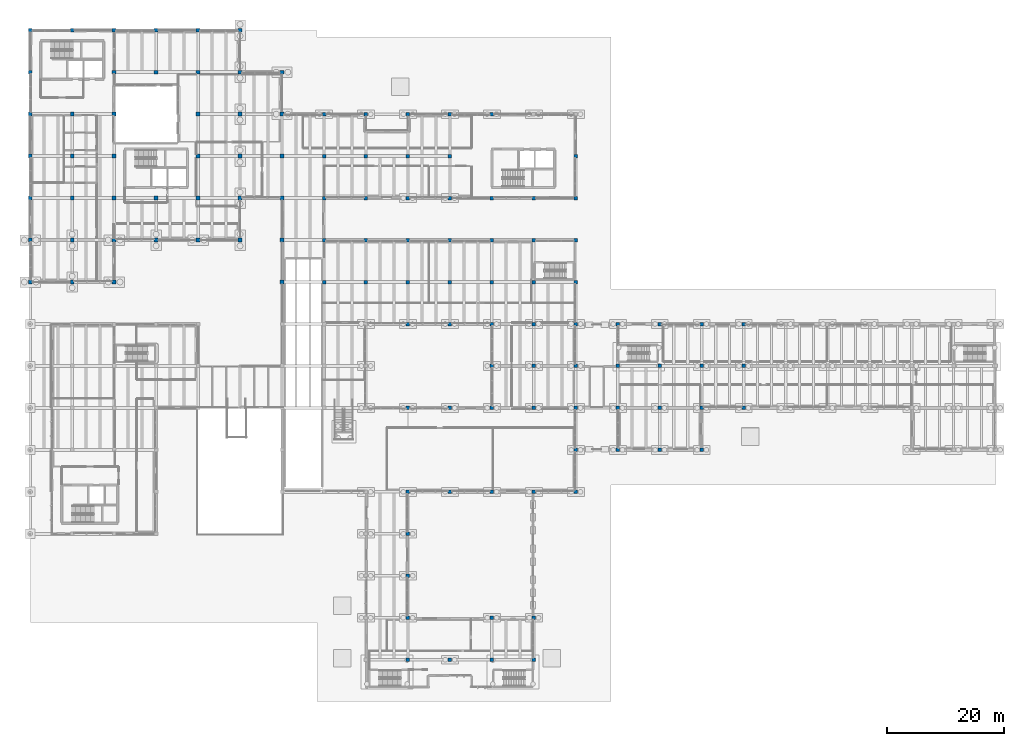
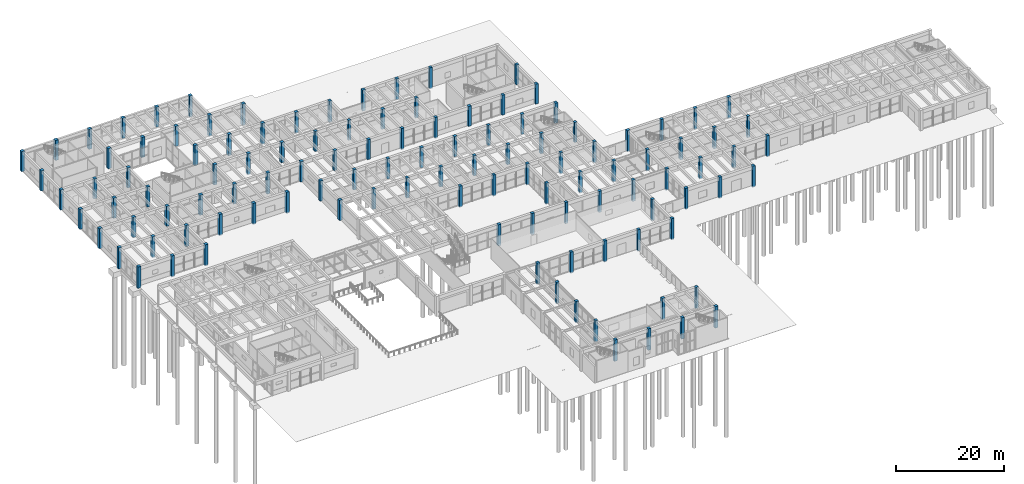
# One storey, part 11 of 155: 116 columns.
"""IFC4 building model written with IfcOpenShell, lengths in metres."""

from ifc_helpers import new_model, si_unit, direction, frame, origin, origin_2d, place, context, subcontext, project, spatial, rectangle, extrude, material, material_profile, profile_set, type_object, element, save


model = new_model("IFC4")

# Units and contexts
model_context = context("Model", 3, precision=1e-05, world=origin(), true_north=direction((0.0, 1.0)))
body_context = subcontext(model_context, "Body", "Model", "MODEL_VIEW")
ifc_project = project(units=[si_unit("LENGTHUNIT", "METRE"), si_unit("AREAUNIT", "SQUARE_METRE"), si_unit("VOLUMEUNIT", "CUBIC_METRE"), si_unit("PLANEANGLEUNIT", "RADIAN"), si_unit("MASSUNIT", "GRAM", prefix="KILO")], contexts=[model_context])

# Site, building, storey
site_placement = place(None, origin())
site = spatial("IfcSite", under=ifc_project, at=site_placement, CompositionType="ELEMENT")
building_placement = place(site_placement, origin())
building = spatial("IfcBuilding", under=site, at=building_placement, Name="Bramvelor Terrace Health Centre", CompositionType="ELEMENT")
storey_placement = place(building_placement, origin())
storey = spatial("IfcBuildingStorey", under=building, at=storey_placement, Name="L01", CompositionType="ELEMENT", Elevation=0.0)

# Columns
ifc_material_1 = material(Name="Concrete C40/50", Category="concrete")
ifc_material_profile_1 = material_profile(ifc_material_1, rectangle(XDim=0.60009765625, YDim=0.60009765625, at=origin_2d()), Name="RC 600x600")
ifc_profile_set_1 = profile_set([ifc_material_profile_1], Name="Concrete C40/50")
column_type_1 = type_object("IfcColumnType", Name="COL-RC-600", PredefinedType="COLUMN", material=ifc_profile_set_1)
column_1_placement = place(storey_placement, frame((50.39990234375, 72.0, 0.0), z_axis=(0.0, 0.0, 1.0), x_axis=(1.0, 0.0, 0.0)))
element("IfcColumn", 1, at=column_1_placement, inside=storey, type_object=column_type_1, Name="L01 Column (50.4, 72.0)", PredefinedType="COLUMN", context=body_context, shape_type="SweptSolid", body=[
    extrude(rectangle(XDim=0.60009765625, YDim=0.60009765625, at=origin_2d()), origin(), (0.0, 0.0, 1.0), 4.56005859375),
])
for number, where, z_axis, x_axis, name in (
    (2, (50.39990234375, 79.199951171875, 0.0), (0.0, 0.0, 1.0), (1.0, 0.0, 0.0), "L01 Column (50.4, 79.2)"),
    (3, (50.39990234375, 86.39990234375, 0.0), (0.0, 0.0, 1.0), (1.0, 0.0, 0.0), "L01 Column (50.4, 86.4)"),
):
    element("IfcColumn", number, at=place(storey_placement, frame(where, z_axis=z_axis, x_axis=x_axis)), inside=storey, type_object=column_type_1, Name=name, PredefinedType="COLUMN", context=body_context, shape_type="SweptSolid", body=[
        extrude(rectangle(XDim=0.60009765625, YDim=0.60009765625, at=origin_2d()), origin(), (0.0, 0.0, 1.0), 4.580078125),
    ])
column_2_placement = place(storey_placement, frame((50.39990234375, 93.60009765625, 0.0), z_axis=(0.0, 0.0, 1.0), x_axis=(1.0, 0.0, 0.0)))
element("IfcColumn", 4, at=column_2_placement, inside=storey, type_object=column_type_1, Name="L01 Column (50.4, 93.6)", PredefinedType="COLUMN", context=body_context, shape_type="SweptSolid", body=[
    extrude(rectangle(XDim=0.60009765625, YDim=0.60009765625, at=origin_2d()), origin(), (0.0, 0.0, 1.0), 4.530029296875),
])
column_3_placement = place(storey_placement, frame((50.39990234375, 100.800048828125, -0.25), z_axis=(0.0, 0.0, 1.0), x_axis=(1.0, 0.0, 0.0)))
element("IfcColumn", 5, at=column_3_placement, inside=storey, type_object=column_type_1, Name="L01 Column (50.4, 100.8)", PredefinedType="COLUMN", context=body_context, shape_type="SweptSolid", body=[
    extrude(rectangle(XDim=0.60009765625, YDim=0.60009765625, at=origin_2d()), origin(), (0.0, 0.0, 1.0), 4.780029296875),
])
for number, where, z_axis, x_axis, name in (
    (6, (57.60009765625, 72.0, 0.0), (0.0, 0.0, 1.0), (1.0, 0.0, 0.0), "L01 Column (57.6, 72.0)"),
    (7, (57.60009765625, 79.199951171875, 0.0), (0.0, 0.0, 1.0), (1.0, 0.0, 0.0), "L01 Column (57.6, 79.2)"),
):
    element("IfcColumn", number, at=place(storey_placement, frame(where, z_axis=z_axis, x_axis=x_axis)), inside=storey, type_object=column_type_1, Name=name, PredefinedType="COLUMN", context=body_context, shape_type="SweptSolid", body=[
        extrude(rectangle(XDim=0.60009765625, YDim=0.60009765625, at=origin_2d()), origin(), (0.0, 0.0, 1.0), 4.56005859375),
    ])
for number, where, z_axis, x_axis, name in (
    (8, (57.60009765625, 86.39990234375, 0.0), (0.0, 0.0, 1.0), (1.0, 0.0, 0.0), "L01 Column (57.6, 86.4)"),
    (9, (57.60009765625, 93.60009765625, 0.0), (0.0, 0.0, 1.0), (1.0, 0.0, 0.0), "L01 Column (57.6, 93.6)"),
):
    element("IfcColumn", number, at=place(storey_placement, frame(where, z_axis=z_axis, x_axis=x_axis)), inside=storey, type_object=column_type_1, Name=name, PredefinedType="COLUMN", context=body_context, shape_type="SweptSolid", body=[
        extrude(rectangle(XDim=0.60009765625, YDim=0.60009765625, at=origin_2d()), origin(), (0.0, 0.0, 1.0), 4.530029296875),
    ])
column_4_placement = place(storey_placement, frame((57.60009765625, 100.800048828125, -0.25), z_axis=(0.0, 0.0, 1.0), x_axis=(1.0, 0.0, 0.0)))
element("IfcColumn", 10, at=column_4_placement, inside=storey, type_object=column_type_1, Name="L01 Column (57.6, 100.8)", PredefinedType="COLUMN", context=body_context, shape_type="SweptSolid", body=[
    extrude(rectangle(XDim=0.60009765625, YDim=0.60009765625, at=origin_2d()), origin(), (0.0, 0.0, 1.0), 4.780029296875),
])
for number, where, z_axis, x_axis, name in (
    (11, (64.800048828125, 7.199951171875, -0.25), (0.0, 0.0, 1.0), (1.0, 0.0, 0.0), "L01 Column (64.8, 7.2)"),
    (12, (64.800048828125, 14.39990234375, -0.25), (0.0, 0.0, 1.0), (1.0, 0.0, 0.0), "L01 Column (64.8, 14.4)"),
):
    element("IfcColumn", number, at=place(storey_placement, frame(where, z_axis=z_axis, x_axis=x_axis)), inside=storey, type_object=column_type_1, Name=name, PredefinedType="COLUMN", context=body_context, shape_type="SweptSolid", body=[
        extrude(rectangle(XDim=0.60009765625, YDim=0.60009765625, at=origin_2d()), origin(), (0.0, 0.0, 1.0), 4.864990234375),
    ])
for number, where, z_axis, x_axis, name in (
    (13, (64.800048828125, 21.60009765625, -0.25), (0.0, 0.0, 1.0), (1.0, 0.0, 0.0), "L01 Column (64.8, 21.6)"),
    (14, (64.800048828125, 28.800048828125, -0.25), (0.0, 0.0, 1.0), (1.0, 0.0, 0.0), "L01 Column (64.8, 28.8)"),
):
    element("IfcColumn", number, at=place(storey_placement, frame(where, z_axis=z_axis, x_axis=x_axis)), inside=storey, type_object=column_type_1, Name=name, PredefinedType="COLUMN", context=body_context, shape_type="SweptSolid", body=[
        extrude(rectangle(XDim=0.60009765625, YDim=0.60009765625, at=origin_2d()), origin(), (0.0, 0.0, 1.0), 4.830078125),
    ])
for number, where, z_axis, x_axis, name in (
    (15, (64.800048828125, 36.0, -0.25), (0.0, 0.0, 1.0), (1.0, 0.0, 0.0), "L01 Column (64.8, 36.0)"),
    (16, (64.800048828125, 50.39990234375, -0.25), (0.0, 0.0, 1.0), (1.0, 0.0, 0.0), "L01 Column (64.8, 50.4)"),
    (17, (64.800048828125, 64.800048828125, -0.25), (0.0, 0.0, 1.0), (1.0, 0.0, 0.0), "L01 Column (64.8, 64.8)"),
):
    element("IfcColumn", number, at=place(storey_placement, frame(where, z_axis=z_axis, x_axis=x_axis)), inside=storey, type_object=column_type_1, Name=name, PredefinedType="COLUMN", context=body_context, shape_type="SweptSolid", body=[
        extrude(rectangle(XDim=0.60009765625, YDim=0.60009765625, at=origin_2d()), origin(), (0.0, 0.0, 1.0), 4.81005859375),
    ])
for number, where, z_axis, x_axis, name in (
    (18, (64.800048828125, 72.0, 0.0), (0.0, 0.0, 1.0), (1.0, 0.0, 0.0), "L01 Column (64.8, 72.0)"),
    (19, (64.800048828125, 79.199951171875, 0.0), (0.0, 0.0, 1.0), (1.0, 0.0, 0.0), "L01 Column (64.8, 79.2)"),
):
    element("IfcColumn", number, at=place(storey_placement, frame(where, z_axis=z_axis, x_axis=x_axis)), inside=storey, type_object=column_type_1, Name=name, PredefinedType="COLUMN", context=body_context, shape_type="SweptSolid", body=[
        extrude(rectangle(XDim=0.60009765625, YDim=0.60009765625, at=origin_2d()), origin(), (0.0, 0.0, 1.0), 4.56005859375),
    ])
column_5_placement = place(storey_placement, frame((64.800048828125, 86.39990234375, -0.25), z_axis=(0.0, 0.0, 1.0), x_axis=(1.0, 0.0, 0.0)))
element("IfcColumn", 20, at=column_5_placement, inside=storey, type_object=column_type_1, Name="L01 Column (64.8, 86.4)", PredefinedType="COLUMN", context=body_context, shape_type="SweptSolid", body=[
    extrude(rectangle(XDim=0.60009765625, YDim=0.60009765625, at=origin_2d()), origin(), (0.0, 0.0, 1.0), 4.780029296875),
])
column_6_placement = place(storey_placement, frame((64.800048828125, 93.60009765625, 0.0), z_axis=(0.0, 0.0, 1.0), x_axis=(1.0, 0.0, 0.0)))
element("IfcColumn", 21, at=column_6_placement, inside=storey, type_object=column_type_1, Name="L01 Column (64.8, 93.6)", PredefinedType="COLUMN", context=body_context, shape_type="SweptSolid", body=[
    extrude(rectangle(XDim=0.60009765625, YDim=0.60009765625, at=origin_2d()), origin(), (0.0, 0.0, 1.0), 4.530029296875),
])
column_7_placement = place(storey_placement, frame((64.800048828125, 100.800048828125, -0.25), z_axis=(0.0, 0.0, 1.0), x_axis=(1.0, 0.0, 0.0)))
element("IfcColumn", 22, at=column_7_placement, inside=storey, type_object=column_type_1, Name="L01 Column (64.8, 100.8)", PredefinedType="COLUMN", context=body_context, shape_type="SweptSolid", body=[
    extrude(rectangle(XDim=0.60009765625, YDim=0.60009765625, at=origin_2d()), origin(), (0.0, 0.0, 1.0), 4.780029296875),
])
column_8_placement = place(storey_placement, frame((72.0, 7.199951171875, -0.25), z_axis=(0.0, 0.0, 1.0), x_axis=(1.0, 0.0, 0.0)))
element("IfcColumn", 23, at=column_8_placement, inside=storey, type_object=column_type_1, Name="L01 Column (72.0, 7.2)", PredefinedType="COLUMN", context=body_context, shape_type="SweptSolid", body=[
    extrude(rectangle(XDim=0.60009765625, YDim=0.60009765625, at=origin_2d()), origin(), (0.0, 0.0, 1.0), 4.864990234375),
])
for number, where, z_axis, x_axis, name in (
    (24, (72.0, 36.0, -0.25), (0.0, 0.0, 1.0), (1.0, 0.0, 0.0), "L01 Column (72.0, 36.0)"),
    (25, (72.0, 50.39990234375, -0.25), (0.0, 0.0, 1.0), (1.0, 0.0, 0.0), "L01 Column (72.0, 50.4)"),
    (26, (72.0, 64.800048828125, -0.25), (0.0, 0.0, 1.0), (1.0, 0.0, 0.0), "L01 Column (72.0, 64.8)"),
):
    element("IfcColumn", number, at=place(storey_placement, frame(where, z_axis=z_axis, x_axis=x_axis)), inside=storey, type_object=column_type_1, Name=name, PredefinedType="COLUMN", context=body_context, shape_type="SweptSolid", body=[
        extrude(rectangle(XDim=0.60009765625, YDim=0.60009765625, at=origin_2d()), origin(), (0.0, 0.0, 1.0), 4.81005859375),
    ])
for number, where, z_axis, x_axis, name in (
    (27, (72.0, 72.0, 0.0), (0.0, 0.0, 1.0), (1.0, 0.0, 0.0), "L01 Column (72.0, 72.0)"),
    (28, (72.0, 79.199951171875, 0.0), (0.0, 0.0, 1.0), (1.0, 0.0, 0.0), "L01 Column (72.0, 79.2)"),
):
    element("IfcColumn", number, at=place(storey_placement, frame(where, z_axis=z_axis, x_axis=x_axis)), inside=storey, type_object=column_type_1, Name=name, PredefinedType="COLUMN", context=body_context, shape_type="SweptSolid", body=[
        extrude(rectangle(XDim=0.60009765625, YDim=0.60009765625, at=origin_2d()), origin(), (0.0, 0.0, 1.0), 4.56005859375),
    ])
column_9_placement = place(storey_placement, frame((72.0, 86.39990234375, -0.25), z_axis=(0.0, 0.0, 1.0), x_axis=(1.0, 0.0, 0.0)))
element("IfcColumn", 29, at=column_9_placement, inside=storey, type_object=column_type_1, Name="L01 Column (72.0, 86.4)", PredefinedType="COLUMN", context=body_context, shape_type="SweptSolid", body=[
    extrude(rectangle(XDim=0.60009765625, YDim=0.60009765625, at=origin_2d()), origin(), (0.0, 0.0, 1.0), 4.780029296875),
])
column_10_placement = place(storey_placement, frame((72.0, 93.60009765625, 0.0), z_axis=(0.0, 0.0, 1.0), x_axis=(1.0, 0.0, 0.0)))
element("IfcColumn", 30, at=column_10_placement, inside=storey, type_object=column_type_1, Name="L01 Column (72.0, 93.6)", PredefinedType="COLUMN", context=body_context, shape_type="SweptSolid", body=[
    extrude(rectangle(XDim=0.60009765625, YDim=0.60009765625, at=origin_2d()), origin(), (0.0, 0.0, 1.0), 4.530029296875),
])
column_11_placement = place(storey_placement, frame((72.0, 100.800048828125, -0.25), z_axis=(0.0, 0.0, 1.0), x_axis=(1.0, 0.0, 0.0)))
element("IfcColumn", 31, at=column_11_placement, inside=storey, type_object=column_type_1, Name="L01 Column (72.0, 100.8)", PredefinedType="COLUMN", context=body_context, shape_type="SweptSolid", body=[
    extrude(rectangle(XDim=0.60009765625, YDim=0.60009765625, at=origin_2d()), origin(), (0.0, 0.0, 1.0), 4.780029296875),
])
for number, where, z_axis, x_axis, name in (
    (32, (79.199951171875, 7.199951171875, -0.25), (0.0, 0.0, 1.0), (1.0, 0.0, 0.0), "L01 Column (79.2, 7.2)"),
    (33, (79.199951171875, 14.39990234375, -0.25), (0.0, 0.0, 1.0), (1.0, 0.0, 0.0), "L01 Column (79.2, 14.4)"),
):
    element("IfcColumn", number, at=place(storey_placement, frame(where, z_axis=z_axis, x_axis=x_axis)), inside=storey, type_object=column_type_1, Name=name, PredefinedType="COLUMN", context=body_context, shape_type="SweptSolid", body=[
        extrude(rectangle(XDim=0.60009765625, YDim=0.60009765625, at=origin_2d()), origin(), (0.0, 0.0, 1.0), 4.864990234375),
    ])
for number, where, z_axis, x_axis, name in (
    (34, (79.199951171875, 36.0, -0.25), (0.0, 0.0, 1.0), (1.0, 0.0, 0.0), "L01 Column (79.2, 36.0)"),
    (35, (79.199951171875, 50.39990234375, -0.25), (0.0, 0.0, 1.0), (1.0, 0.0, 0.0), "L01 Column (79.2, 50.4)"),
    (36, (79.199951171875, 57.60009765625, -0.25), (0.0, 0.0, 1.0), (1.0, 0.0, 0.0), "L01 Column (79.2, 57.6)"),
    (37, (79.199951171875, 64.800048828125, -0.25), (0.0, 0.0, 1.0), (1.0, 0.0, 0.0), "L01 Column (79.2, 64.8)"),
):
    element("IfcColumn", number, at=place(storey_placement, frame(where, z_axis=z_axis, x_axis=x_axis)), inside=storey, type_object=column_type_1, Name=name, PredefinedType="COLUMN", context=body_context, shape_type="SweptSolid", body=[
        extrude(rectangle(XDim=0.60009765625, YDim=0.60009765625, at=origin_2d()), origin(), (0.0, 0.0, 1.0), 4.81005859375),
    ])
for number, where, z_axis, x_axis, name in (
    (38, (79.199951171875, 72.0, 0.0), (0.0, 0.0, 1.0), (1.0, 0.0, 0.0), "L01 Column (79.2, 72.0)"),
    (39, (79.199951171875, 79.199951171875, 0.0), (0.0, 0.0, 1.0), (1.0, 0.0, 0.0), "L01 Column (79.2, 79.2)"),
):
    element("IfcColumn", number, at=place(storey_placement, frame(where, z_axis=z_axis, x_axis=x_axis)), inside=storey, type_object=column_type_1, Name=name, PredefinedType="COLUMN", context=body_context, shape_type="SweptSolid", body=[
        extrude(rectangle(XDim=0.60009765625, YDim=0.60009765625, at=origin_2d()), origin(), (0.0, 0.0, 1.0), 4.56005859375),
    ])
column_12_placement = place(storey_placement, frame((79.199951171875, 86.39990234375, 0.0), z_axis=(0.0, 0.0, 1.0), x_axis=(1.0, 0.0, 0.0)))
element("IfcColumn", 40, at=column_12_placement, inside=storey, type_object=column_type_1, Name="L01 Column (79.2, 86.4)", PredefinedType="COLUMN", context=body_context, shape_type="SweptSolid", body=[
    extrude(rectangle(XDim=0.60009765625, YDim=0.60009765625, at=origin_2d()), origin(), (0.0, 0.0, 1.0), 4.530029296875),
])
column_13_placement = place(storey_placement, frame((79.199951171875, 100.800048828125, -0.25), z_axis=(0.0, 0.0, 1.0), x_axis=(1.0, 0.0, 0.0)))
element("IfcColumn", 41, at=column_13_placement, inside=storey, type_object=column_type_1, Name="L01 Column (79.2, 100.8)", PredefinedType="COLUMN", context=body_context, shape_type="SweptSolid", body=[
    extrude(rectangle(XDim=0.60009765625, YDim=0.60009765625, at=origin_2d()), origin(), (0.0, 0.0, 1.0), 4.780029296875),
])
for number, where, z_axis, x_axis, name in (
    (42, (86.39990234375, 7.199951171875, -0.25), (0.0, 0.0, 1.0), (1.0, 0.0, 0.0), "L01 Column (86.4, 7.2)"),
    (43, (86.39990234375, 14.39990234375, -0.25), (0.0, 0.0, 1.0), (1.0, 0.0, 0.0), "L01 Column (86.4, 14.4)"),
):
    element("IfcColumn", number, at=place(storey_placement, frame(where, z_axis=z_axis, x_axis=x_axis)), inside=storey, type_object=column_type_1, Name=name, PredefinedType="COLUMN", context=body_context, shape_type="SweptSolid", body=[
        extrude(rectangle(XDim=0.60009765625, YDim=0.60009765625, at=origin_2d()), origin(), (0.0, 0.0, 1.0), 4.864990234375),
    ])
for number, where, z_axis, x_axis, name in (
    (44, (86.39990234375, 36.0, -0.25), (0.0, 0.0, 1.0), (1.0, 0.0, 0.0), "L01 Column (86.4, 36.0)"),
    (45, (86.39990234375, 50.39990234375, -0.25), (0.0, 0.0, 1.0), (1.0, 0.0, 0.0), "L01 Column (86.4, 50.4)"),
    (46, (86.39990234375, 57.60009765625, -0.25), (0.0, 0.0, 1.0), (1.0, 0.0, 0.0), "L01 Column (86.4, 57.6)"),
    (47, (86.39990234375, 64.800048828125, -0.25), (0.0, 0.0, 1.0), (1.0, 0.0, 0.0), "L01 Column (86.4, 64.8)"),
):
    element("IfcColumn", number, at=place(storey_placement, frame(where, z_axis=z_axis, x_axis=x_axis)), inside=storey, type_object=column_type_1, Name=name, PredefinedType="COLUMN", context=body_context, shape_type="SweptSolid", body=[
        extrude(rectangle(XDim=0.60009765625, YDim=0.60009765625, at=origin_2d()), origin(), (0.0, 0.0, 1.0), 4.81005859375),
    ])
for number, where, z_axis, x_axis, name in (
    (48, (86.39990234375, 72.0, 0.0), (0.0, 0.0, 1.0), (1.0, 0.0, 0.0), "L01 Column (86.4, 72.0)"),
    (49, (86.39990234375, 79.199951171875, 0.0), (0.0, 0.0, 1.0), (1.0, 0.0, 0.0), "L01 Column (86.4, 79.2)"),
):
    element("IfcColumn", number, at=place(storey_placement, frame(where, z_axis=z_axis, x_axis=x_axis)), inside=storey, type_object=column_type_1, Name=name, PredefinedType="COLUMN", context=body_context, shape_type="SweptSolid", body=[
        extrude(rectangle(XDim=0.60009765625, YDim=0.60009765625, at=origin_2d()), origin(), (0.0, 0.0, 1.0), 4.56005859375),
    ])
column_14_placement = place(storey_placement, frame((86.39990234375, 86.39990234375, 0.0), z_axis=(0.0, 0.0, 1.0), x_axis=(1.0, 0.0, 0.0)))
element("IfcColumn", 50, at=column_14_placement, inside=storey, type_object=column_type_1, Name="L01 Column (86.4, 86.4)", PredefinedType="COLUMN", context=body_context, shape_type="SweptSolid", body=[
    extrude(rectangle(XDim=0.60009765625, YDim=0.60009765625, at=origin_2d()), origin(), (0.0, 0.0, 1.0), 4.530029296875),
])
for number, where, z_axis, x_axis, name in (
    (51, (93.60009765625, 36.0, -0.25), (0.0, 0.0, 1.0), (1.0, 0.0, 0.0), "L01 Column (93.6, 36.0)"),
    (52, (93.60009765625, 43.199951171875, -0.25), (0.0, 0.0, 1.0), (1.0, 0.0, 0.0), "L01 Column (93.6, 43.2)"),
):
    element("IfcColumn", number, at=place(storey_placement, frame(where, z_axis=z_axis, x_axis=x_axis)), inside=storey, type_object=column_type_1, Name=name, PredefinedType="COLUMN", context=body_context, shape_type="SweptSolid", body=[
        extrude(rectangle(XDim=0.60009765625, YDim=0.60009765625, at=origin_2d()), origin(), (0.0, 0.0, 1.0), 4.81005859375),
    ])
for number, where, z_axis, x_axis, name in (
    (53, (93.60009765625, 50.39990234375, -0.25), (0.0, 0.0, 1.0), (1.0, 0.0, 0.0), "L01 Column (93.6, 50.4)"),
    (54, (93.60009765625, 57.60009765625, -0.25), (0.0, 0.0, 1.0), (1.0, 0.0, 0.0), "L01 Column (93.6, 57.6)"),
):
    element("IfcColumn", number, at=place(storey_placement, frame(where, z_axis=z_axis, x_axis=x_axis)), inside=storey, type_object=column_type_1, Name=name, PredefinedType="COLUMN", context=body_context, shape_type="SweptSolid", body=[
        extrude(rectangle(XDim=0.60009765625, YDim=0.60009765625, at=origin_2d()), origin(), (0.0, 0.0, 1.0), 4.830078125),
    ])
column_15_placement = place(storey_placement, frame((93.60009765625, 64.800048828125, -0.25), z_axis=(0.0, 0.0, 1.0), x_axis=(1.0, 0.0, 0.0)))
element("IfcColumn", 55, at=column_15_placement, inside=storey, type_object=column_type_1, Name="L01 Column (93.6, 64.8)", PredefinedType="COLUMN", context=body_context, shape_type="SweptSolid", body=[
    extrude(rectangle(XDim=0.60009765625, YDim=0.60009765625, at=origin_2d()), origin(), (0.0, 0.0, 1.0), 4.81005859375),
])
for number, where, z_axis, x_axis, name in (
    (56, (93.60009765625, 72.0, 0.0), (0.0, 0.0, 1.0), (1.0, 0.0, 0.0), "L01 Column (93.6, 72.0)"),
    (57, (93.60009765625, 79.199951171875, 0.0), (0.0, 0.0, 1.0), (1.0, 0.0, 0.0), "L01 Column (93.6, 79.2)"),
):
    element("IfcColumn", number, at=place(storey_placement, frame(where, z_axis=z_axis, x_axis=x_axis)), inside=storey, type_object=column_type_1, Name=name, PredefinedType="COLUMN", context=body_context, shape_type="SweptSolid", body=[
        extrude(rectangle(XDim=0.60009765625, YDim=0.60009765625, at=origin_2d()), origin(), (0.0, 0.0, 1.0), 4.56005859375),
    ])
for number, where, z_axis, x_axis, name in (
    (58, (93.60009765625, 86.39990234375, 0.0), (0.0, 0.0, 1.0), (1.0, 0.0, 0.0), "L01 Column (93.6, 86.4)"),
    (59, (93.60009765625, 93.60009765625, 0.0), (0.0, 0.0, 1.0), (1.0, 0.0, 0.0), "L01 Column (93.6, 93.6)"),
):
    element("IfcColumn", number, at=place(storey_placement, frame(where, z_axis=z_axis, x_axis=x_axis)), inside=storey, type_object=column_type_1, Name=name, PredefinedType="COLUMN", context=body_context, shape_type="SweptSolid", body=[
        extrude(rectangle(XDim=0.60009765625, YDim=0.60009765625, at=origin_2d()), origin(), (0.0, 0.0, 1.0), 4.530029296875),
    ])
column_16_placement = place(storey_placement, frame((100.800048828125, 43.199951171875, -0.25), z_axis=(0.0, 0.0, 1.0), x_axis=(1.0, 0.0, 0.0)))
element("IfcColumn", 60, at=column_16_placement, inside=storey, type_object=column_type_1, Name="L01 Column (100.8, 43.2)", PredefinedType="COLUMN", context=body_context, shape_type="SweptSolid", body=[
    extrude(rectangle(XDim=0.60009765625, YDim=0.60009765625, at=origin_2d()), origin(), (0.0, 0.0, 1.0), 4.81005859375),
])
for number, where, z_axis, x_axis, name in (
    (61, (100.800048828125, 50.39990234375, -0.25), (0.0, 0.0, 1.0), (1.0, 0.0, 0.0), "L01 Column (100.8, 50.4)"),
    (62, (100.800048828125, 57.60009765625, -0.25), (0.0, 0.0, 1.0), (1.0, 0.0, 0.0), "L01 Column (100.8, 57.6)"),
):
    element("IfcColumn", number, at=place(storey_placement, frame(where, z_axis=z_axis, x_axis=x_axis)), inside=storey, type_object=column_type_1, Name=name, PredefinedType="COLUMN", context=body_context, shape_type="SweptSolid", body=[
        extrude(rectangle(XDim=0.60009765625, YDim=0.60009765625, at=origin_2d()), origin(), (0.0, 0.0, 1.0), 4.830078125),
    ])
for number, where, z_axis, x_axis, name in (
    (63, (100.800048828125, 64.800048828125, -0.25), (0.0, 0.0, 1.0), (1.0, 0.0, 0.0), "L01 Column (100.8, 64.8)"),
    (64, (108.0, 43.199951171875, -0.25), (0.0, 0.0, 1.0), (1.0, 0.0, 0.0), "L01 Column (108.0, 43.2)"),
    (65, (108.0, 50.39990234375, -0.25), (0.0, 0.0, 1.0), (1.0, 0.0, 0.0), "L01 Column (108.0, 50.4)"),
    (66, (108.0, 57.60009765625, -0.25), (0.0, 0.0, 1.0), (1.0, 0.0, 0.0), "L01 Column (108.0, 57.6)"),
    (67, (108.0, 64.800048828125, -0.25), (0.0, 0.0, 1.0), (1.0, 0.0, 0.0), "L01 Column (108.0, 64.8)"),
    (68, (115.199951171875, 43.199951171875, -0.25), (0.0, 0.0, 1.0), (1.0, 0.0, 0.0), "L01 Column (115.2, 43.2)"),
    (69, (115.199951171875, 50.39990234375, -0.25), (0.0, 0.0, 1.0), (1.0, 0.0, 0.0), "L01 Column (115.2, 50.4)"),
    (70, (115.199951171875, 57.60009765625, -0.25), (0.0, 0.0, 1.0), (1.0, 0.0, 0.0), "L01 Column (115.2, 57.6)"),
    (71, (115.199951171875, 64.800048828125, -0.25), (0.0, 0.0, 1.0), (1.0, 0.0, 0.0), "L01 Column (115.2, 64.8)"),
    (72, (122.39990234375, 50.39990234375, -0.25), (0.0, 0.0, 1.0), (1.0, 0.0, 0.0), "L01 Column (122.4, 50.4)"),
    (73, (122.39990234375, 57.60009765625, -0.25), (0.0, 0.0, 1.0), (1.0, 0.0, 0.0), "L01 Column (122.4, 57.6)"),
    (74, (122.39990234375, 64.800048828125, -0.25), (0.0, 0.0, 1.0), (1.0, 0.0, 0.0), "L01 Column (122.4, 64.8)"),
):
    element("IfcColumn", number, at=place(storey_placement, frame(where, z_axis=z_axis, x_axis=x_axis)), inside=storey, type_object=column_type_1, Name=name, PredefinedType="COLUMN", context=body_context, shape_type="SweptSolid", body=[
        extrude(rectangle(XDim=0.60009765625, YDim=0.60009765625, at=origin_2d()), origin(), (0.0, 0.0, 1.0), 4.81005859375),
    ])
ifc_material_2 = material(Name="Concrete C40/50", Category="concrete")
ifc_material_profile_2 = material_profile(ifc_material_2, rectangle(XDim=0.64990234375, YDim=0.64990234375, at=origin_2d()), Name="RC 650x650")
ifc_profile_set_2 = profile_set([ifc_material_profile_2], Name="Concrete C40/50")
column_type_2 = type_object("IfcColumnType", Name="COL-RC-650", PredefinedType="COLUMN", material=ifc_profile_set_2)
for number, where, z_axis, x_axis, name in (
    (75, (7.199951171875, 72.0, -0.25), (0.0, 0.0, 1.0), (1.0, 0.0, 0.0), "L01 Column (7.2, 72.0)"),
    (76, (7.199951171875, 79.199951171875, -0.25), (0.0, 0.0, 1.0), (1.0, 0.0, 0.0), "L01 Column (7.2, 79.2)"),
):
    element("IfcColumn", number, at=place(storey_placement, frame(where, z_axis=z_axis, x_axis=x_axis)), inside=storey, type_object=column_type_2, Name=name, PredefinedType="COLUMN", context=body_context, shape_type="SweptSolid", body=[
        extrude(rectangle(XDim=0.64990234375, YDim=0.64990234375, at=origin_2d()), origin(), (0.0, 0.0, 1.0), 4.81005859375),
    ])
for number, where, z_axis, x_axis, name in (
    (77, (7.199951171875, 86.39990234375, 0.0), (0.0, 0.0, 1.0), (1.0, 0.0, 0.0), "L01 Column (7.2, 86.4)"),
    (78, (7.199951171875, 93.60009765625, 0.0), (0.0, 0.0, 1.0), (1.0, 0.0, 0.0), "L01 Column (7.2, 93.6)"),
    (79, (7.199951171875, 100.800048828125, 0.0), (0.0, 0.0, 1.0), (1.0, 0.0, 0.0), "L01 Column (7.2, 100.8)"),
):
    element("IfcColumn", number, at=place(storey_placement, frame(where, z_axis=z_axis, x_axis=x_axis)), inside=storey, type_object=column_type_2, Name=name, PredefinedType="COLUMN", context=body_context, shape_type="SweptSolid", body=[
        extrude(rectangle(XDim=0.64990234375, YDim=0.64990234375, at=origin_2d()), origin(), (0.0, 0.0, 1.0), 4.56005859375),
    ])
for number, where, z_axis, x_axis, name in (
    (80, (14.39990234375, 72.0, -0.25), (0.0, 0.0, 1.0), (1.0, 0.0, 0.0), "L01 Column (14.4, 72.0)"),
    (81, (14.39990234375, 79.199951171875, -0.25), (0.0, 0.0, 1.0), (1.0, 0.0, 0.0), "L01 Column (14.4, 79.2)"),
):
    element("IfcColumn", number, at=place(storey_placement, frame(where, z_axis=z_axis, x_axis=x_axis)), inside=storey, type_object=column_type_2, Name=name, PredefinedType="COLUMN", context=body_context, shape_type="SweptSolid", body=[
        extrude(rectangle(XDim=0.64990234375, YDim=0.64990234375, at=origin_2d()), origin(), (0.0, 0.0, 1.0), 4.81005859375),
    ])
for number, where, z_axis, x_axis, name in (
    (82, (14.39990234375, 86.39990234375, 0.0), (0.0, 0.0, 1.0), (1.0, 0.0, 0.0), "L01 Column (14.4, 86.4)"),
    (83, (14.39990234375, 93.60009765625, 0.0), (0.0, 0.0, 1.0), (1.0, 0.0, 0.0), "L01 Column (14.4, 93.6)"),
    (84, (14.39990234375, 100.800048828125, 0.0), (0.0, 0.0, 1.0), (1.0, 0.0, 0.0), "L01 Column (14.4, 100.8)"),
    (85, (14.39990234375, 108.0, 0.0), (0.0, 0.0, 1.0), (1.0, 0.0, 0.0), "L01 Column (14.4, 108.0)"),
):
    element("IfcColumn", number, at=place(storey_placement, frame(where, z_axis=z_axis, x_axis=x_axis)), inside=storey, type_object=column_type_2, Name=name, PredefinedType="COLUMN", context=body_context, shape_type="SweptSolid", body=[
        extrude(rectangle(XDim=0.64990234375, YDim=0.64990234375, at=origin_2d()), origin(), (0.0, 0.0, 1.0), 4.56005859375),
    ])
column_17_placement = place(storey_placement, frame((21.60009765625, 79.199951171875, -0.25), z_axis=(0.0, 0.0, 1.0), x_axis=(1.0, 0.0, 0.0)))
element("IfcColumn", 86, at=column_17_placement, inside=storey, type_object=column_type_2, Name="L01 Column (21.6, 79.2)", PredefinedType="COLUMN", context=body_context, shape_type="SweptSolid", body=[
    extrude(rectangle(XDim=0.64990234375, YDim=0.64990234375, at=origin_2d()), origin(), (0.0, 0.0, 1.0), 4.81005859375),
])
for number, where, z_axis, x_axis, name in (
    (87, (21.60009765625, 86.39990234375, 0.0), (0.0, 0.0, 1.0), (1.0, 0.0, 0.0), "L01 Column (21.6, 86.4)"),
    (88, (21.60009765625, 108.0, 0.0), (0.0, 0.0, 1.0), (1.0, 0.0, 0.0), "L01 Column (21.6, 108.0)"),
):
    element("IfcColumn", number, at=place(storey_placement, frame(where, z_axis=z_axis, x_axis=x_axis)), inside=storey, type_object=column_type_2, Name=name, PredefinedType="COLUMN", context=body_context, shape_type="SweptSolid", body=[
        extrude(rectangle(XDim=0.64990234375, YDim=0.64990234375, at=origin_2d()), origin(), (0.0, 0.0, 1.0), 4.56005859375),
    ])
column_18_placement = place(storey_placement, frame((28.800048828125, 79.199951171875, -0.25), z_axis=(0.0, 0.0, 1.0), x_axis=(1.0, 0.0, 0.0)))
element("IfcColumn", 89, at=column_18_placement, inside=storey, type_object=column_type_2, Name="L01 Column (28.8, 79.2)", PredefinedType="COLUMN", context=body_context, shape_type="SweptSolid", body=[
    extrude(rectangle(XDim=0.64990234375, YDim=0.64990234375, at=origin_2d()), origin(), (0.0, 0.0, 1.0), 4.81005859375),
])
for number, where, z_axis, x_axis, name in (
    (90, (28.800048828125, 86.39990234375, 0.0), (0.0, 0.0, 1.0), (1.0, 0.0, 0.0), "L01 Column (28.8, 86.4)"),
    (91, (28.800048828125, 93.60009765625, 0.0), (0.0, 0.0, 1.0), (1.0, 0.0, 0.0), "L01 Column (28.8, 93.6)"),
    (92, (28.800048828125, 100.800048828125, 0.0), (0.0, 0.0, 1.0), (1.0, 0.0, 0.0), "L01 Column (28.8, 100.8)"),
    (93, (28.800048828125, 108.0, 0.0), (0.0, 0.0, 1.0), (1.0, 0.0, 0.0), "L01 Column (28.8, 108.0)"),
):
    element("IfcColumn", number, at=place(storey_placement, frame(where, z_axis=z_axis, x_axis=x_axis)), inside=storey, type_object=column_type_2, Name=name, PredefinedType="COLUMN", context=body_context, shape_type="SweptSolid", body=[
        extrude(rectangle(XDim=0.64990234375, YDim=0.64990234375, at=origin_2d()), origin(), (0.0, 0.0, 1.0), 4.56005859375),
    ])
for number, where, z_axis, x_axis, name in (
    (94, (36.0, 79.199951171875, -0.25), (0.0, 0.0, 1.0), (1.0, 0.0, 0.0), "L01 Column (36.0, 79.2)"),
    (95, (36.0, 86.39990234375, -0.25), (0.0, 0.0, 1.0), (1.0, 0.0, 0.0), "L01 Column (36.0, 86.4)"),
    (96, (36.0, 93.60009765625, -0.25), (0.0, 0.0, 1.0), (1.0, 0.0, 0.0), "L01 Column (36.0, 93.6)"),
    (97, (36.0, 100.800048828125, -0.25), (0.0, 0.0, 1.0), (1.0, 0.0, 0.0), "L01 Column (36.0, 100.8)"),
    (98, (36.0, 108.0, -0.25), (0.0, 0.0, 1.0), (1.0, 0.0, 0.0), "L01 Column (36.0, 108.0)"),
):
    element("IfcColumn", number, at=place(storey_placement, frame(where, z_axis=z_axis, x_axis=x_axis)), inside=storey, type_object=column_type_2, Name=name, PredefinedType="COLUMN", context=body_context, shape_type="SweptSolid", body=[
        extrude(rectangle(XDim=0.64990234375, YDim=0.64990234375, at=origin_2d()), origin(), (0.0, 0.0, 1.0), 4.81005859375),
    ])
column_19_placement = place(storey_placement, frame((43.199951171875, 72.0, 0.0), z_axis=(0.0, 0.0, 1.0), x_axis=(1.0, 0.0, 0.0)))
element("IfcColumn", 99, at=column_19_placement, inside=storey, type_object=column_type_2, Name="L01 Column (43.2, 72.0)", PredefinedType="COLUMN", context=body_context, shape_type="SweptSolid", body=[
    extrude(rectangle(XDim=0.64990234375, YDim=0.64990234375, at=origin_2d()), origin(), (0.0, 0.0, 1.0), 4.56005859375),
])
for number, where, z_axis, x_axis, name in (
    (100, (43.199951171875, 79.199951171875, 0.0), (0.0, 0.0, 1.0), (1.0, 0.0, 0.0), "L01 Column (43.2, 79.2)"),
    (101, (43.199951171875, 86.39990234375, 0.0), (0.0, 0.0, 1.0), (1.0, 0.0, 0.0), "L01 Column (43.2, 86.4)"),
):
    element("IfcColumn", number, at=place(storey_placement, frame(where, z_axis=z_axis, x_axis=x_axis)), inside=storey, type_object=column_type_2, Name=name, PredefinedType="COLUMN", context=body_context, shape_type="SweptSolid", body=[
        extrude(rectangle(XDim=0.64990234375, YDim=0.64990234375, at=origin_2d()), origin(), (0.0, 0.0, 1.0), 4.580078125),
    ])
column_20_placement = place(storey_placement, frame((43.199951171875, 93.60009765625, 0.0), z_axis=(0.0, 0.0, 1.0), x_axis=(1.0, 0.0, 0.0)))
element("IfcColumn", 102, at=column_20_placement, inside=storey, type_object=column_type_2, Name="L01 Column (43.2, 93.6)", PredefinedType="COLUMN", context=body_context, shape_type="SweptSolid", body=[
    extrude(rectangle(XDim=0.64990234375, YDim=0.64990234375, at=origin_2d()), origin(), (0.0, 0.0, 1.0), 4.56005859375),
])
for number, where, z_axis, x_axis, name in (
    (103, (43.199951171875, 100.800048828125, -0.25), (0.0, 0.0, 1.0), (1.0, 0.0, 0.0), "L01 Column (43.2, 100.8)"),
    (104, (43.199951171875, 108.0, -0.25), (0.0, 0.0, 1.0), (1.0, 0.0, 0.0), "L01 Column (43.2, 108.0)"),
):
    element("IfcColumn", number, at=place(storey_placement, frame(where, z_axis=z_axis, x_axis=x_axis)), inside=storey, type_object=column_type_2, Name=name, PredefinedType="COLUMN", context=body_context, shape_type="SweptSolid", body=[
        extrude(rectangle(XDim=0.64990234375, YDim=0.64990234375, at=origin_2d()), origin(), (0.0, 0.0, 1.0), 4.81005859375),
    ])
ifc_material_3 = material(Name="Concrete C40/50", Category="concrete")
ifc_material_profile_3 = material_profile(ifc_material_3, rectangle(XDim=0.64990234375, YDim=0.64990234375, at=origin_2d()), Name="RC 650x650")
ifc_profile_set_3 = profile_set([ifc_material_profile_3], Name="Concrete C40/50")
column_type_3 = type_object("IfcColumnType", Name="COL-RC-650-EXT", PredefinedType="COLUMN", material=ifc_profile_set_3)
for number, where, z_axis, x_axis, name in (
    (105, (0.0, 72.0, -0.25), (0.0, 0.0, 1.0), (1.0, 0.0, 0.0), "L01 Column (0.0, 72.0)"),
    (106, (0.0, 79.199951171875, -0.25), (0.0, 0.0, 1.0), (1.0, 0.0, 0.0), "L01 Column (0.0, 79.2)"),
):
    element("IfcColumn", number, at=place(storey_placement, frame(where, z_axis=z_axis, x_axis=x_axis)), inside=storey, type_object=column_type_3, Name=name, PredefinedType="COLUMN", context=body_context, shape_type="SweptSolid", body=[
        extrude(rectangle(XDim=0.64990234375, YDim=0.64990234375, at=origin_2d()), origin(), (0.0, 0.0, 1.0), 4.81005859375),
    ])
for number, where, z_axis, x_axis, name in (
    (107, (0.0, 86.39990234375, 0.0), (0.0, 0.0, 1.0), (1.0, 0.0, 0.0), "L01 Column (0.0, 86.4)"),
    (108, (0.0, 93.60009765625, 0.0), (0.0, 0.0, 1.0), (1.0, 0.0, 0.0), "L01 Column (0.0, 93.6)"),
    (109, (0.0, 100.800048828125, 0.0), (0.0, 0.0, 1.0), (1.0, 0.0, 0.0), "L01 Column (0.0, 100.8)"),
    (110, (0.0, 108.0, 0.0), (0.0, 0.0, 1.0), (1.0, 0.0, 0.0), "L01 Column (0.0, 108.0)"),
    (111, (0.0, 115.199951171875, 0.0), (0.0, 0.0, 1.0), (1.0, 0.0, 0.0), "L01 Column (0.0, 115.2)"),
    (112, (7.199951171875, 115.199951171875, 0.0), (0.0, 0.0, 1.0), (1.0, 0.0, 0.0), "L01 Column (7.2, 115.2)"),
    (113, (14.39990234375, 115.199951171875, 0.0), (0.0, 0.0, 1.0), (1.0, 0.0, 0.0), "L01 Column (14.4, 115.2)"),
    (114, (21.60009765625, 115.199951171875, 0.0), (0.0, 0.0, 1.0), (1.0, 0.0, 0.0), "L01 Column (21.6, 115.2)"),
    (115, (28.800048828125, 115.199951171875, 0.0), (0.0, 0.0, 1.0), (1.0, 0.0, 0.0), "L01 Column (28.8, 115.2)"),
):
    element("IfcColumn", number, at=place(storey_placement, frame(where, z_axis=z_axis, x_axis=x_axis)), inside=storey, type_object=column_type_3, Name=name, PredefinedType="COLUMN", context=body_context, shape_type="SweptSolid", body=[
        extrude(rectangle(XDim=0.64990234375, YDim=0.64990234375, at=origin_2d()), origin(), (0.0, 0.0, 1.0), 4.56005859375),
    ])
column_21_placement = place(storey_placement, frame((36.0, 115.199951171875, -0.25), z_axis=(0.0, 0.0, 1.0), x_axis=(1.0, 0.0, 0.0)))
element("IfcColumn", 116, at=column_21_placement, inside=storey, type_object=column_type_3, Name="L01 Column (36.0, 115.2)", PredefinedType="COLUMN", context=body_context, shape_type="SweptSolid", body=[
    extrude(rectangle(XDim=0.64990234375, YDim=0.64990234375, at=origin_2d()), origin(), (0.0, 0.0, 1.0), 4.81005859375),
])

save(model, "model.ifc")
